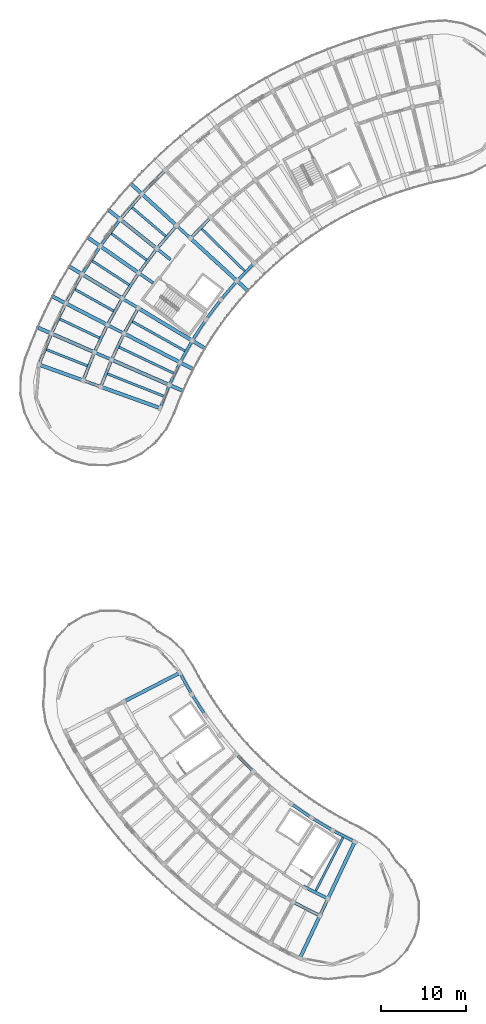
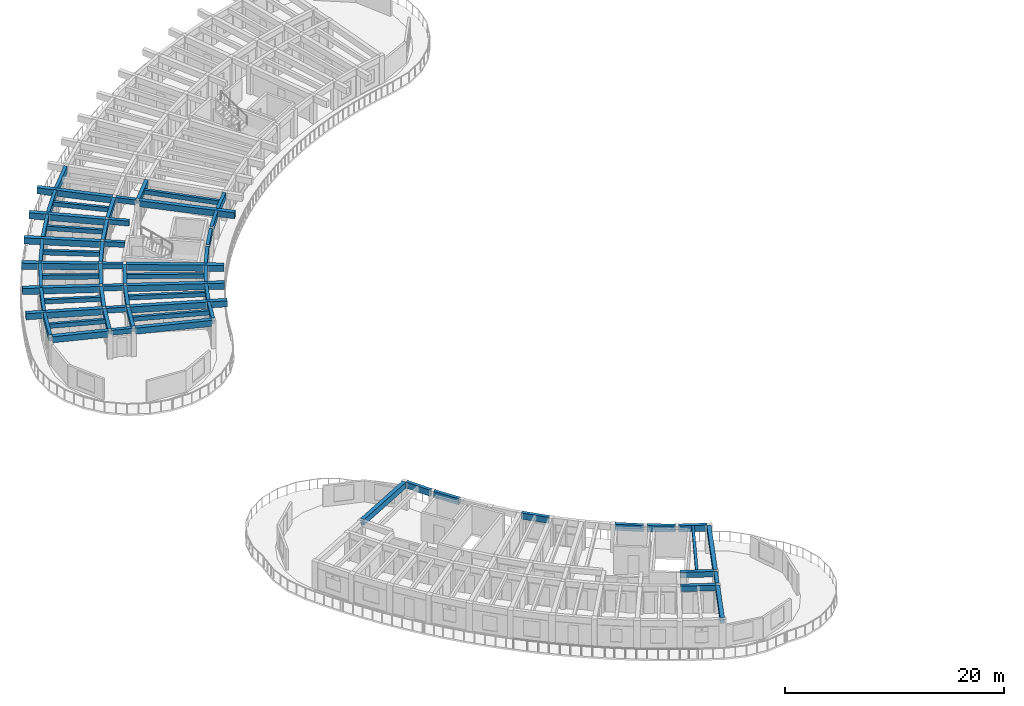
# One storey, part 5 of 41: 66 beams.
"""IFC4 building model written with IfcOpenShell, lengths in metres."""

from ifc_helpers import new_model, si_unit, direction, frame, origin, origin_2d, place, context, subcontext, project, spatial, rectangle, extrude, material, material_profile, profile_set, type_object, element, save


model = new_model("IFC4")

# Units and contexts
model_context = context("Model", 3, precision=1e-05, world=origin(), true_north=direction((0.0, 1.0)))
body_context = subcontext(model_context, "Body", "Model", "MODEL_VIEW")
ifc_project = project(units=[si_unit("LENGTHUNIT", "METRE"), si_unit("AREAUNIT", "SQUARE_METRE"), si_unit("VOLUMEUNIT", "CUBIC_METRE"), si_unit("PLANEANGLEUNIT", "RADIAN"), si_unit("MASSUNIT", "GRAM", prefix="KILO")], contexts=[model_context])

# Site, building, storey
site_placement = place(None, origin())
site = spatial("IfcSite", under=ifc_project, at=site_placement, CompositionType="ELEMENT")
building_placement = place(site_placement, origin())
building = spatial("IfcBuilding", under=site, at=building_placement, Name="Tanwirah Colonnade Gardens", CompositionType="ELEMENT")
storey_placement = place(building_placement, frame((0.0, 0.0, 35.719970703125)))
storey = spatial("IfcBuildingStorey", under=building, at=storey_placement, Name="L10", CompositionType="ELEMENT", Elevation=35.719970703125)

# Beams
ifc_material_1 = material(Name="Precast concrete C40/50", Category="concrete")
ifc_material_profile_1 = material_profile(ifc_material_1, rectangle(XDim=0.360107421875, YDim=0.610107421875, at=origin_2d()), Name="PC-BM 360x610")
ifc_profile_set_1 = profile_set([ifc_material_profile_1], Name="Precast concrete C40/50")
beam_type_1 = type_object("IfcBeamType", Name="BM-PC300", PredefinedType="BEAM", material=ifc_profile_set_1)
beam_1_placement = place(storey_placement, frame((39.99609375, 19.08251953125, 2.820068359375), z_axis=(0.890027741769, -0.45590637074, 0.0), x_axis=(0.45590637074, 0.890027741769, 0.0)))
element("IfcBeam", 1, at=beam_1_placement, inside=storey, type_object=beam_type_1, Name="Block C L10 Circumferential Beam 12-R1", PredefinedType="BEAM", context=body_context, shape_type="SweptSolid", body=[
    extrude(rectangle(XDim=0.360107421875, YDim=0.610107421875, at=origin_2d()), origin(), (0.0, 0.0, 1.0), 3.093017578125),
])
beam_2_placement = place(storey_placement, frame((38.929443359375, 17.158447265625, 2.820068359375), z_axis=(0.890025451153, -0.45591084249, 0.0), x_axis=(0.45591084249, 0.890025451153, 0.0)))
element("IfcBeam", 2, at=beam_2_placement, inside=storey, type_object=beam_type_1, Name="Block C L10 Circumferential Beam 12-R2", PredefinedType="BEAM", context=body_context, shape_type="SweptSolid", body=[
    extrude(rectangle(XDim=0.360107421875, YDim=0.610107421875, at=origin_2d()), origin(), (0.0, 0.0, 1.0), 3.237060546875),
])
ifc_material_profile_2 = material_profile(ifc_material_1, rectangle(XDim=0.35009765625, YDim=0.550048828125, at=origin_2d()), Name="PC-BM 350x550")
ifc_profile_set_2 = profile_set([ifc_material_profile_2], Name="Precast concrete C40/50")
beam_type_2 = type_object("IfcBeamType", Name="BM-PC350A", PredefinedType="BEAM", material=ifc_profile_set_2)
for number, where, z_axis, x_axis, name in (
    (3, (26.62744140625, 95.29345703125, 2.840087890625), (-0.737948361517, 0.674857181732, 0.0), (-0.674857181732, -0.737948361517, 0.0), "Block A L10 Corridor Tie Beam 11"),
    (4, (24.398681640625, 92.68896484375, 2.840087890625), (-0.78073089418, 0.624867402633, 0.0), (-0.624867402633, -0.78073089418, 0.0), "Block A L10 Corridor Tie Beam 12"),
    (5, (22.346435546875, 89.943359375, 2.840087890625), (-0.820305001782, 0.571926309983, 0.0), (-0.571926309983, -0.820305001782, 0.0), "Block A L10 Corridor Tie Beam 13"),
    (6, (20.479248046875, 87.068359375, 2.840087890625), (-0.856174920318, 0.516686080534, 0.0), (-0.516686080534, -0.856174920318, 0.0), "Block A L10 Corridor Tie Beam 14"),
    (7, (18.8056640625, 84.07666015625, 2.840087890625), (-0.888358643941, 0.459150214784, 0.0), (-0.459150214784, -0.888358643941, 0.0), "Block A L10 Corridor Tie Beam 15"),
    (8, (17.3330078125, 80.981201171875, 2.840087890625), (-0.916681481826, 0.399618644306, 0.0), (-0.399618644306, -0.916681481826, 0.0), "Block A L10 Corridor Tie Beam 16"),
    (9, (16.0673828125, 77.79541015625, 2.840087890625), (-0.941021664552, 0.338346311999, 0.0), (-0.338346311999, -0.941021664552, 0.0), "Block A L10 Corridor Tie Beam 17"),
    (10, (42.818359375, 17.46826171875, 2.85009765625), (-0.426483812015, -0.904495195172, 0.0), (0.904495195172, -0.426483812015, 0.0), "Block C L10 Corridor Tie Beam 13"),
):
    element("IfcBeam", number, at=place(storey_placement, frame(where, z_axis=z_axis, x_axis=x_axis)), inside=storey, type_object=beam_type_2, Name=name, PredefinedType="BEAM", context=body_context, shape_type="SweptSolid", body=[
        extrude(rectangle(XDim=0.35009765625, YDim=0.550048828125, at=origin_2d()), origin(), (0.0, 0.0, 1.0), 1.89990234375),
    ])
ifc_material_profile_3 = material_profile(ifc_material_1, rectangle(XDim=0.35009765625, YDim=0.60009765625, at=origin_2d()), Name="PC-BM 350x600")
ifc_profile_set_3 = profile_set([ifc_material_profile_3], Name="Precast concrete C40/50")
beam_type_3 = type_object("IfcBeamType", Name="BM-PC350B", PredefinedType="BEAM", material=ifc_profile_set_3)
beam_3_placement = place(storey_placement, frame((29.02197265625, 97.52978515625, 2.81494140625), z_axis=(-0.698837366631, -0.715280598787, 0.0), x_axis=(0.715280598787, -0.698837366631, 0.0)))
element("IfcBeam", 11, at=beam_3_placement, inside=storey, type_object=beam_type_3, Name="Block A L10 Circumferential Beam 10-R1", PredefinedType="BEAM", context=body_context, shape_type="SweptSolid", body=[
    extrude(rectangle(XDim=0.35009765625, YDim=0.60009765625, at=origin_2d()), origin(), (0.0, 0.0, 1.0), 3.117919921875),
])
beam_4_placement = place(storey_placement, frame((25.017333984375, 96.56298828125, 2.81494140625), z_axis=(-0.650218192342, -0.759747525398, 0.0), x_axis=(0.759747525398, -0.650218192342, 0.0)))
element("IfcBeam", 12, at=beam_4_placement, inside=storey, type_object=beam_type_3, Name="Block A L10 Circumferential Beam 11-R2", PredefinedType="BEAM", context=body_context, shape_type="SweptSolid", body=[
    extrude(rectangle(XDim=0.35009765625, YDim=0.60009765625, at=origin_2d()), origin(), (0.0, 0.0, 1.0), 3.26318359375),
])
for number, where, z_axis, x_axis, name in (
    (13, (22.708251953125, 93.849609375, 2.81494140625), (-0.59871829396, -0.800959677186, 0.0), (0.800959677186, -0.59871829396, 0.0), "Block A L10 Circumferential Beam 12-R2"),
    (14, (20.5830078125, 90.989990234375, 2.81494140625), (-0.544627998385, -0.838677735114, 0.0), (0.838677735114, -0.544627998385, 0.0), "Block A L10 Circumferential Beam 13-R2"),
):
    element("IfcBeam", number, at=place(storey_placement, frame(where, z_axis=z_axis, x_axis=x_axis)), inside=storey, type_object=beam_type_3, Name=name, PredefinedType="BEAM", context=body_context, shape_type="SweptSolid", body=[
        extrude(rectangle(XDim=0.35009765625, YDim=0.60009765625, at=origin_2d()), origin(), (0.0, 0.0, 1.0), 3.262939453125),
    ])
beam_5_placement = place(storey_placement, frame((20.534423828125, 86.85986328125, 2.81494140625), z_axis=(-0.488200372352, -0.872731571811, 0.0), x_axis=(0.872731571811, -0.488200372352, 0.0)))
element("IfcBeam", 15, at=beam_5_placement, inside=storey, type_object=beam_type_3, Name="Block A L10 Circumferential Beam 14-R1", PredefinedType="BEAM", context=body_context, shape_type="SweptSolid", body=[
    extrude(rectangle(XDim=0.35009765625, YDim=0.60009765625, at=origin_2d()), origin(), (0.0, 0.0, 1.0), 3.117919921875),
])
beam_6_placement = place(storey_placement, frame((18.65087890625, 87.99658203125, 2.81494140625), z_axis=(-0.488213717102, -0.87272410671, 0.0), x_axis=(0.87272410671, -0.488213717102, 0.0)))
element("IfcBeam", 16, at=beam_6_placement, inside=storey, type_object=beam_type_3, Name="Block A L10 Circumferential Beam 14-R2", PredefinedType="BEAM", context=body_context, shape_type="SweptSolid", body=[
    extrude(rectangle(XDim=0.35009765625, YDim=0.60009765625, at=origin_2d()), origin(), (0.0, 0.0, 1.0), 3.262939453125),
])
beam_7_placement = place(storey_placement, frame((18.87451171875, 83.872314453125, 2.81494140625), z_axis=(-0.429620507728, -0.903009534468, 0.0), x_axis=(0.903009534468, -0.429620507728, 0.0)))
element("IfcBeam", 17, at=beam_7_placement, inside=storey, type_object=beam_type_3, Name="Block A L10 Circumferential Beam 15-R1", PredefinedType="BEAM", context=body_context, shape_type="SweptSolid", body=[
    extrude(rectangle(XDim=0.35009765625, YDim=0.60009765625, at=origin_2d()), origin(), (0.0, 0.0, 1.0), 3.1181640625),
])
beam_8_placement = place(storey_placement, frame((16.920166015625, 84.882568359375, 2.81494140625), z_axis=(-0.4295908638, -0.90302363742, 0.0), x_axis=(0.90302363742, -0.4295908638, 0.0)))
element("IfcBeam", 18, at=beam_8_placement, inside=storey, type_object=beam_type_3, Name="Block A L10 Circumferential Beam 15-R2", PredefinedType="BEAM", context=body_context, shape_type="SweptSolid", body=[
    extrude(rectangle(XDim=0.35009765625, YDim=0.60009765625, at=origin_2d()), origin(), (0.0, 0.0, 1.0), 3.26318359375),
])
beam_9_placement = place(storey_placement, frame((17.4150390625, 80.78173828125, 2.81494140625), z_axis=(-0.369189105832, -0.929354294193, 0.0), x_axis=(0.929354294193, -0.369189105832, 0.0)))
element("IfcBeam", 19, at=beam_9_placement, inside=storey, type_object=beam_type_3, Name="Block A L10 Circumferential Beam 16-R1", PredefinedType="BEAM", context=body_context, shape_type="SweptSolid", body=[
    extrude(rectangle(XDim=0.35009765625, YDim=0.60009765625, at=origin_2d()), origin(), (0.0, 0.0, 1.0), 3.117919921875),
])
beam_10_placement = place(storey_placement, frame((15.3984375, 81.6611328125, 2.81494140625), z_axis=(-0.369209712056, -0.929346108037, 0.0), x_axis=(0.929346108037, -0.369209712056, 0.0)))
element("IfcBeam", 20, at=beam_10_placement, inside=storey, type_object=beam_type_3, Name="Block A L10 Circumferential Beam 16-R2", PredefinedType="BEAM", context=body_context, shape_type="SweptSolid", body=[
    extrude(rectangle(XDim=0.35009765625, YDim=0.60009765625, at=origin_2d()), origin(), (0.0, 0.0, 1.0), 3.26318359375),
])
ifc_material_2 = material(Name="Precast concrete C45/55", Category="concrete")
ifc_material_profile_4 = material_profile(ifc_material_2, rectangle(XDim=0.39990234375, YDim=0.64990234375, at=origin_2d()), Name="PC-BM 400x650")
ifc_profile_set_4 = profile_set([ifc_material_profile_4], Name="Precast concrete C45/55")
beam_type_4 = type_object("IfcBeamType", Name="BM-PC400", PredefinedType="BEAM", material=ifc_profile_set_4)
for number, where, z_axis, x_axis, name in (
    (21, (19.037841796875, 40.827880859375, 2.800048828125), (0.889012732153, 0.457882476265, 0.0), (-0.457882476265, 0.889012732153, 0.0), "Block C L10 Inner Radial Precast Girder 3"),
    (22, (42.9462890625, 17.73974609375, 2.800048828125), (0.426588425311, 0.904445860951, 0.0), (-0.904445860951, 0.426588425311, 0.0), "Block C L10 Inner Radial Precast Girder 13"),
):
    element("IfcBeam", number, at=place(storey_placement, frame(where, z_axis=z_axis, x_axis=x_axis)), inside=storey, type_object=beam_type_4, Name=name, PredefinedType="BEAM", context=body_context, shape_type="SweptSolid", body=[
        extrude(rectangle(XDim=0.39990234375, YDim=0.64990234375, at=origin_2d()), origin(), (0.0, 0.0, 1.0), 7.10009765625),
    ])
beam_11_placement = place(storey_placement, frame((41.8798828125, 15.478515625, 2.800048828125), z_axis=(-0.426549833975, -0.904464061827, 0.0), x_axis=(0.904464061827, -0.426549833975, 0.0)))
element("IfcBeam", 23, at=beam_11_placement, inside=storey, type_object=beam_type_4, Name="Block C L10 Outer Radial Precast Girder 13", PredefinedType="BEAM", context=body_context, shape_type="SweptSolid", body=[
    extrude(rectangle(XDim=0.39990234375, YDim=0.64990234375, at=origin_2d()), origin(), (0.0, 0.0, 1.0), 5.199951171875),
])
ifc_material_profile_5 = material_profile(ifc_material_2, rectangle(XDim=0.419921875, YDim=0.679931640625, at=origin_2d()), Name="PC-BM 420x680")
ifc_profile_set_5 = profile_set([ifc_material_profile_5], Name="Precast concrete C45/55")
beam_type_5 = type_object("IfcBeamType", Name="BM-PC420", PredefinedType="BEAM", material=ifc_profile_set_5)
beam_12_placement = place(storey_placement, frame((26.848876953125, 95.091064453125, 2.775146484375), z_axis=(0.737937205818, -0.674869380154, 0.0), x_axis=(0.674869380154, 0.737937205818, 0.0)))
element("IfcBeam", 24, at=beam_12_placement, inside=storey, type_object=beam_type_5, Name="Block A L10 Inner Radial Precast Girder 11", PredefinedType="BEAM", context=body_context, shape_type="SweptSolid", body=[
    extrude(rectangle(XDim=0.419921875, YDim=0.679931640625, at=origin_2d()), origin(), (0.0, 0.0, 1.0), 8.949951171875),
])
for number, where, z_axis, x_axis, name in (
    (25, (25.004150390625, 96.7783203125, 2.775146484375), (-0.737934199263, 0.674872667663, 0.0), (-0.674872667663, -0.737934199263, 0.0), "Block A L10 Outer Radial Precast Girder 11"),
    (26, (22.680908203125, 94.0634765625, 2.775146484375), (-0.780794476885, 0.624787951921, 0.0), (-0.624787951921, -0.780794476885, 0.0), "Block A L10 Outer Radial Precast Girder 12"),
    (27, (20.541748046875, 91.20166015625, 2.775146484375), (-0.820270158139, 0.571976282433, 0.0), (-0.571976282433, -0.820270158139, 0.0), "Block A L10 Outer Radial Precast Girder 13"),
):
    element("IfcBeam", number, at=place(storey_placement, frame(where, z_axis=z_axis, x_axis=x_axis)), inside=storey, type_object=beam_type_5, Name=name, PredefinedType="BEAM", context=body_context, shape_type="SweptSolid", body=[
        extrude(rectangle(XDim=0.419921875, YDim=0.679931640625, at=origin_2d()), origin(), (0.0, 0.0, 1.0), 7.050048828125),
    ])
beam_13_placement = place(storey_placement, frame((20.736083984375, 86.913330078125, 2.775146484375), z_axis=(0.856168728297, -0.516696340887, 0.0), x_axis=(0.516696340887, 0.856168728297, 0.0)))
element("IfcBeam", 28, at=beam_13_placement, inside=storey, type_object=beam_type_5, Name="Block A L10 Inner Radial Precast Girder 14", PredefinedType="BEAM", context=body_context, shape_type="SweptSolid", body=[
    extrude(rectangle(XDim=0.419921875, YDim=0.679931640625, at=origin_2d()), origin(), (0.0, 0.0, 1.0), 8.9501953125),
])
beam_14_placement = place(storey_placement, frame((18.595703125, 88.205078125, 2.775146484375), z_axis=(-0.856157813984, 0.516714425533, 0.0), x_axis=(-0.516714425533, -0.856157813984, 0.0)))
element("IfcBeam", 29, at=beam_14_placement, inside=storey, type_object=beam_type_5, Name="Block A L10 Outer Radial Precast Girder 14", PredefinedType="BEAM", context=body_context, shape_type="SweptSolid", body=[
    extrude(rectangle(XDim=0.419921875, YDim=0.679931640625, at=origin_2d()), origin(), (0.0, 0.0, 1.0), 7.050048828125),
])
beam_15_placement = place(storey_placement, frame((19.072265625, 83.93896484375, 2.775146484375), z_axis=(0.888345427876, -0.459175784175, 0.0), x_axis=(0.459175784175, 0.888345427876, 0.0)))
element("IfcBeam", 30, at=beam_15_placement, inside=storey, type_object=beam_type_5, Name="Block A L10 Inner Radial Precast Girder 15", PredefinedType="BEAM", context=body_context, shape_type="SweptSolid", body=[
    extrude(rectangle(XDim=0.419921875, YDim=0.679931640625, at=origin_2d()), origin(), (0.0, 0.0, 1.0), 8.949951171875),
])
beam_16_placement = place(storey_placement, frame((16.851318359375, 85.0869140625, 2.775146484375), z_axis=(-0.888348690665, 0.459169471758, 0.0), x_axis=(-0.459169471758, -0.888348690665, 0.0)))
element("IfcBeam", 31, at=beam_16_placement, inside=storey, type_object=beam_type_5, Name="Block A L10 Outer Radial Precast Girder 15", PredefinedType="BEAM", context=body_context, shape_type="SweptSolid", body=[
    extrude(rectangle(XDim=0.419921875, YDim=0.679931640625, at=origin_2d()), origin(), (0.0, 0.0, 1.0), 7.0498046875),
])
beam_17_placement = place(storey_placement, frame((17.60791015625, 80.861328125, 2.775146484375), z_axis=(0.916669317869, -0.399646545934, 0.0), x_axis=(0.399646545934, 0.916669317869, 0.0)))
element("IfcBeam", 32, at=beam_17_placement, inside=storey, type_object=beam_type_5, Name="Block A L10 Inner Radial Precast Girder 16", PredefinedType="BEAM", context=body_context, shape_type="SweptSolid", body=[
    extrude(rectangle(XDim=0.419921875, YDim=0.679931640625, at=origin_2d()), origin(), (0.0, 0.0, 1.0), 8.9501953125),
])
beam_18_placement = place(storey_placement, frame((15.31640625, 81.8603515625, 2.775146484375), z_axis=(-0.916678725612, 0.399624966702, 0.0), x_axis=(-0.399624966702, -0.916678725612, 0.0)))
element("IfcBeam", 33, at=beam_18_placement, inside=storey, type_object=beam_type_5, Name="Block A L10 Outer Radial Precast Girder 16", PredefinedType="BEAM", context=body_context, shape_type="SweptSolid", body=[
    extrude(rectangle(XDim=0.419921875, YDim=0.679931640625, at=origin_2d()), origin(), (0.0, 0.0, 1.0), 7.050048828125),
])
beam_19_placement = place(storey_placement, frame((16.349609375, 77.69384765625, 2.775146484375), z_axis=(0.941016219432, -0.338361455792, 0.0), x_axis=(0.338361455792, 0.941016219432, 0.0)))
element("IfcBeam", 34, at=beam_19_placement, inside=storey, type_object=beam_type_5, Name="Block A L10 Inner Radial Precast Girder 17", PredefinedType="BEAM", context=body_context, shape_type="SweptSolid", body=[
    extrude(rectangle(XDim=0.419921875, YDim=0.679931640625, at=origin_2d()), origin(), (0.0, 0.0, 1.0), 7.099853515625),
])
beam_20_placement = place(storey_placement, frame((13.9970703125, 78.539794921875, 2.775146484375), z_axis=(-0.941014229933, 0.338366988731, 0.0), x_axis=(-0.338366988731, -0.941014229933, 0.0)))
element("IfcBeam", 35, at=beam_20_placement, inside=storey, type_object=beam_type_5, Name="Block A L10 Outer Radial Precast Girder 17", PredefinedType="BEAM", context=body_context, shape_type="SweptSolid", body=[
    extrude(rectangle(XDim=0.419921875, YDim=0.679931640625, at=origin_2d()), origin(), (0.0, 0.0, 1.0), 5.199951171875),
])
ifc_material_profile_6 = material_profile(ifc_material_1, rectangle(XDim=0.25, YDim=0.449951171875, at=origin_2d()), Name="PC-JST 250x450")
ifc_profile_set_6 = profile_set([ifc_material_profile_6], Name="Precast concrete C40/50")
beam_type_6 = type_object("IfcBeamType", Name="JST-PC250", PredefinedType="JOIST", material=ifc_profile_set_6)
beam_21_placement = place(storey_placement, frame((44.678955078125, 24.83203125, 2.900146484375), z_axis=(-0.455921327553, -0.890020080157, 0.0), x_axis=(0.890020080157, -0.455921327553, 0.0)))
element("IfcBeam", 36, at=beam_21_placement, inside=storey, type_object=beam_type_6, Name="Block C L10 Inner Precast Floor Joist 12", PredefinedType="JOIST", context=body_context, shape_type="SweptSolid", body=[
    extrude(rectangle(XDim=0.25, YDim=0.449951171875, at=origin_2d()), origin(), (0.0, 0.0, 1.0), 7.159912109375),
])
ifc_material_profile_7 = material_profile(ifc_material_1, rectangle(XDim=0.280029296875, YDim=0.47998046875, at=origin_2d()), Name="PC-JST 280x480")
ifc_profile_set_7 = profile_set([ifc_material_profile_7], Name="Precast concrete C40/50")
beam_type_7 = type_object("IfcBeamType", Name="JST-PC280", PredefinedType="JOIST", material=ifc_profile_set_7)
beam_22_placement = place(storey_placement, frame((33.11962890625, 91.346923828125, 2.875), z_axis=(-0.715276680509, 0.698841377081, 0.0), x_axis=(-0.698841377081, -0.715276680509, 0.0)))
element("IfcBeam", 37, at=beam_22_placement, inside=storey, type_object=beam_type_7, Name="Block A L10 Inner Precast Floor Joist 10", PredefinedType="JOIST", context=body_context, shape_type="SweptSolid", body=[
    extrude(rectangle(XDim=0.280029296875, YDim=0.47998046875, at=origin_2d()), origin(), (0.0, 0.0, 1.0), 7.159912109375),
])
beam_23_placement = place(storey_placement, frame((23.843017578125, 95.42041015625, 2.875), z_axis=(-0.759770723643, 0.65019108537, 0.0), x_axis=(-0.65019108537, -0.759770723643, 0.0)))
element("IfcBeam", 38, at=beam_23_placement, inside=storey, type_object=beam_type_7, Name="Block A L10 Precast Floor Joist 11", PredefinedType="JOIST", context=body_context, shape_type="SweptSolid", body=[
    extrude(rectangle(XDim=0.280029296875, YDim=0.47998046875, at=origin_2d()), origin(), (0.0, 0.0, 1.0), 5.26025390625),
])
beam_24_placement = place(storey_placement, frame((21.61181640625, 92.63232421875, 2.875), z_axis=(-0.800973647215, 0.598699604533, 0.0), x_axis=(-0.598699604533, -0.800973647215, 0.0)))
element("IfcBeam", 39, at=beam_24_placement, inside=storey, type_object=beam_type_7, Name="Block A L10 Precast Floor Joist 12", PredefinedType="JOIST", context=body_context, shape_type="SweptSolid", body=[
    extrude(rectangle(XDim=0.280029296875, YDim=0.47998046875, at=origin_2d()), origin(), (0.0, 0.0, 1.0), 5.260009765625),
])
beam_25_placement = place(storey_placement, frame((19.5693359375, 89.703125, 2.875), z_axis=(-0.83868742622, 0.544613074669, 0.0), x_axis=(-0.544613074669, -0.83868742622, 0.0)))
element("IfcBeam", 40, at=beam_25_placement, inside=storey, type_object=beam_type_7, Name="Block A L10 Precast Floor Joist 13", PredefinedType="JOIST", context=body_context, shape_type="SweptSolid", body=[
    extrude(rectangle(XDim=0.280029296875, YDim=0.47998046875, at=origin_2d()), origin(), (0.0, 0.0, 1.0), 5.26025390625),
])
beam_26_placement = place(storey_placement, frame((17.72412109375, 86.645751953125, 2.875), z_axis=(-0.872737031138, 0.488190612855, 0.0), x_axis=(-0.488190612855, -0.872737031138, 0.0)))
element("IfcBeam", 41, at=beam_26_placement, inside=storey, type_object=beam_type_7, Name="Block A L10 Precast Floor Joist 14", PredefinedType="JOIST", context=body_context, shape_type="SweptSolid", body=[
    extrude(rectangle(XDim=0.280029296875, YDim=0.47998046875, at=origin_2d()), origin(), (0.0, 0.0, 1.0), 5.260009765625),
])
beam_27_placement = place(storey_placement, frame((26.102294921875, 81.958984375, 2.875), z_axis=(-0.872726875563, 0.488208767506, 0.0), x_axis=(-0.488208767506, -0.872726875563, 0.0)))
element("IfcBeam", 42, at=beam_27_placement, inside=storey, type_object=beam_type_7, Name="Block A L10 Inner Precast Floor Joist 14", PredefinedType="JOIST", context=body_context, shape_type="SweptSolid", body=[
    extrude(rectangle(XDim=0.280029296875, YDim=0.47998046875, at=origin_2d()), origin(), (0.0, 0.0, 1.0), 7.16015625),
])
beam_28_placement = place(storey_placement, frame((16.08447265625, 83.473388671875, 2.875), z_axis=(-0.903018314862, 0.429602051931, 0.0), x_axis=(-0.429602051931, -0.903018314862, 0.0)))
element("IfcBeam", 43, at=beam_28_placement, inside=storey, type_object=beam_type_7, Name="Block A L10 Precast Floor Joist 15", PredefinedType="JOIST", context=body_context, shape_type="SweptSolid", body=[
    extrude(rectangle(XDim=0.280029296875, YDim=0.47998046875, at=origin_2d()), origin(), (0.0, 0.0, 1.0), 5.26025390625),
])
beam_29_placement = place(storey_placement, frame((24.753173828125, 79.348876953125, 2.875), z_axis=(-0.903005429363, 0.429629136048, 0.0), x_axis=(-0.429629136048, -0.903005429363, 0.0)))
element("IfcBeam", 44, at=beam_29_placement, inside=storey, type_object=beam_type_7, Name="Block A L10 Inner Precast Floor Joist 15", PredefinedType="JOIST", context=body_context, shape_type="SweptSolid", body=[
    extrude(rectangle(XDim=0.280029296875, YDim=0.47998046875, at=origin_2d()), origin(), (0.0, 0.0, 1.0), 7.16015625),
])
beam_30_placement = place(storey_placement, frame((14.6572265625, 80.199951171875, 2.875), z_axis=(-0.929357539836, 0.369180935517, 0.0), x_axis=(-0.369180935517, -0.929357539836, 0.0)))
element("IfcBeam", 45, at=beam_30_placement, inside=storey, type_object=beam_type_7, Name="Block A L10 Precast Floor Joist 16", PredefinedType="JOIST", context=body_context, shape_type="SweptSolid", body=[
    extrude(rectangle(XDim=0.280029296875, YDim=0.47998046875, at=origin_2d()), origin(), (0.0, 0.0, 1.0), 5.260009765625),
])
beam_31_placement = place(storey_placement, frame((23.578857421875, 76.655517578125, 2.875), z_axis=(-0.929344232768, 0.369214432303, 0.0), x_axis=(-0.369214432303, -0.929344232768, 0.0)))
element("IfcBeam", 46, at=beam_31_placement, inside=storey, type_object=beam_type_7, Name="Block A L10 Inner Precast Floor Joist 16", PredefinedType="JOIST", context=body_context, shape_type="SweptSolid", body=[
    extrude(rectangle(XDim=0.280029296875, YDim=0.47998046875, at=origin_2d()), origin(), (0.0, 0.0, 1.0), 7.159912109375),
])
ifc_material_profile_8 = material_profile(ifc_material_1, rectangle(XDim=0.330078125, YDim=0.68994140625, at=origin_2d()), Name="PC-SP 330x690")
ifc_profile_set_8 = profile_set([ifc_material_profile_8], Name="Precast concrete C40/50")
beam_type_8 = type_object("IfcBeamType", Name="SP-PC280", PredefinedType="SPANDREL", material=ifc_profile_set_8)
beam_32_placement = place(storey_placement, frame((25.55615234375, 44.016357421875, 2.780029296875), z_axis=(0.486747049114, -0.873542964129, 0.0), x_axis=(0.873542964129, 0.486747049114, 0.0)))
element("IfcBeam", 47, at=beam_32_placement, inside=storey, type_object=beam_type_8, Name="Block C L10 Circumferential Beam 3-R0", PredefinedType="SPANDREL", context=body_context, shape_type="SweptSolid", body=[
    extrude(rectangle(XDim=0.330078125, YDim=0.68994140625, at=origin_2d()), origin(), (0.0, 0.0, 1.0), 2.608642578125),
])
for number, where, z_axis, x_axis, name in (
    (48, (26.980224609375, 41.48046875, 2.780029296875), (0.542874837406, -0.83981361677, 0.0), (0.83981361677, 0.542874837406, 0.0), "Block C L10 Circumferential Beam 4-R0"),
    (49, (32.20166015625, 34.505615234375, 2.780029296875), (0.696262751108, -0.717787002822, 0.0), (0.717787002822, 0.696262751108, 0.0), "Block C L10 Circumferential Beam 7-R0"),
    (50, (38.68359375, 28.683349609375, 2.780029296875), (0.822868771031, -0.568231454305, 0.0), (0.568231454305, 0.822868771031, 0.0), "Block C L10 Circumferential Beam 10-R0"),
):
    element("IfcBeam", number, at=place(storey_placement, frame(where, z_axis=z_axis, x_axis=x_axis)), inside=storey, type_object=beam_type_8, Name=name, PredefinedType="SPANDREL", context=body_context, shape_type="SweptSolid", body=[
        extrude(rectangle(XDim=0.330078125, YDim=0.68994140625, at=origin_2d()), origin(), (0.0, 0.0, 1.0), 2.60888671875),
    ])
for number, where, z_axis, x_axis, name in (
    (51, (41.08251953125, 27.038818359375, 2.780029296875), (0.858301131151, -0.513146341958, 0.0), (0.513146341958, 0.858301131151, 0.0), "Block C L10 Circumferential Beam 11-R0"),
    (52, (43.583740234375, 25.5546875, 2.780029296875), (0.890042438658, -0.455877678097, 0.0), (0.455877678097, 0.890042438658, 0.0), "Block C L10 Circumferential Beam 12-R0"),
):
    element("IfcBeam", number, at=place(storey_placement, frame(where, z_axis=z_axis, x_axis=x_axis)), inside=storey, type_object=beam_type_8, Name=name, PredefinedType="SPANDREL", context=body_context, shape_type="SweptSolid", body=[
        extrude(rectangle(XDim=0.330078125, YDim=0.68994140625, at=origin_2d()), origin(), (0.0, 0.0, 1.0), 2.608642578125),
    ])
ifc_material_profile_9 = material_profile(ifc_material_2, rectangle(XDim=0.320068359375, YDim=0.679931640625, at=origin_2d()), Name="PC-SP 320x680")
ifc_profile_set_9 = profile_set([ifc_material_profile_9], Name="Precast concrete C45/55")
beam_type_9 = type_object("IfcBeamType", Name="SP-PC320", PredefinedType="SPANDREL", material=ifc_profile_set_9)
beam_33_placement = place(storey_placement, frame((34.141845703125, 92.186767578125, 2.775146484375), z_axis=(-0.698844462704, -0.715273665772, 0.0), x_axis=(0.715273665772, -0.698844462704, 0.0)))
element("IfcBeam", 53, at=beam_33_placement, inside=storey, type_object=beam_type_9, Name="Block A L10 Circumferential Beam 10-R0", PredefinedType="SPANDREL", context=body_context, shape_type="SweptSolid", body=[
    extrude(rectangle(XDim=0.320068359375, YDim=0.679931640625, at=origin_2d()), origin(), (0.0, 0.0, 1.0), 2.630126953125),
])
beam_34_placement = place(storey_placement, frame((23.69482421875, 103.089599609375, 2.775146484375), z_axis=(-0.698844493997, -0.715273635199, 0.0), x_axis=(0.715273635199, -0.698844493997, 0.0)))
element("IfcBeam", 54, at=beam_34_placement, inside=storey, type_object=beam_type_9, Name="Block A L10 Circumferential Beam 10-R3", PredefinedType="SPANDREL", context=body_context, shape_type="SweptSolid", body=[
    extrude(rectangle(XDim=0.320068359375, YDim=0.679931640625, at=origin_2d()), origin(), (0.0, 0.0, 1.0), 3.6259765625),
])
beam_35_placement = place(storey_placement, frame((32.101318359375, 90.084228515625, 2.775146484375), z_axis=(-0.650172023628, -0.759787035749, 0.0), x_axis=(0.759787035749, -0.650172023628, 0.0)))
element("IfcBeam", 55, at=beam_35_placement, inside=storey, type_object=beam_type_9, Name="Block A L10 Circumferential Beam 11-R0", PredefinedType="SPANDREL", context=body_context, shape_type="SweptSolid", body=[
    extrude(rectangle(XDim=0.320068359375, YDim=0.679931640625, at=origin_2d()), origin(), (0.0, 0.0, 1.0), 2.63037109375),
])
beam_36_placement = place(storey_placement, frame((20.95849609375, 100.27490234375, 2.775146484375), z_axis=(-0.65013123267, -0.75982193987, 0.0), x_axis=(0.75982193987, -0.65013123267, 0.0)))
element("IfcBeam", 56, at=beam_36_placement, inside=storey, type_object=beam_type_9, Name="Block A L10 Circumferential Beam 11-R3", PredefinedType="SPANDREL", context=body_context, shape_type="SweptSolid", body=[
    extrude(rectangle(XDim=0.320068359375, YDim=0.679931640625, at=origin_2d()), origin(), (0.0, 0.0, 1.0), 3.625732421875),
])
beam_37_placement = place(storey_placement, frame((30.203857421875, 87.851806640625, 2.775146484375), z_axis=(-0.598662613551, -0.80100129534, 0.0), x_axis=(0.80100129534, -0.598662613551, 0.0)))
element("IfcBeam", 57, at=beam_37_placement, inside=storey, type_object=beam_type_9, Name="Block A L10 Circumferential Beam 12-R0", PredefinedType="SPANDREL", context=body_context, shape_type="SweptSolid", body=[
    extrude(rectangle(XDim=0.320068359375, YDim=0.679931640625, at=origin_2d()), origin(), (0.0, 0.0, 1.0), 2.63037109375),
])
beam_38_placement = place(storey_placement, frame((18.413818359375, 97.285888671875, 2.775146484375), z_axis=(-0.598695554058, -0.800976674786, 0.0), x_axis=(0.800976674786, -0.598695554058, 0.0)))
element("IfcBeam", 58, at=beam_38_placement, inside=storey, type_object=beam_type_9, Name="Block A L10 Circumferential Beam 12-R3", PredefinedType="SPANDREL", context=body_context, shape_type="SweptSolid", body=[
    extrude(rectangle(XDim=0.320068359375, YDim=0.679931640625, at=origin_2d()), origin(), (0.0, 0.0, 1.0), 3.625732421875),
])
beam_39_placement = place(storey_placement, frame((28.45751953125, 85.4990234375, 2.775146484375), z_axis=(-0.544570677829, -0.838714955661, 0.0), x_axis=(0.838714955661, -0.544570677829, 0.0)))
element("IfcBeam", 59, at=beam_39_placement, inside=storey, type_object=beam_type_9, Name="Block A L10 Circumferential Beam 13-R0", PredefinedType="SPANDREL", context=body_context, shape_type="SweptSolid", body=[
    extrude(rectangle(XDim=0.320068359375, YDim=0.679931640625, at=origin_2d()), origin(), (0.0, 0.0, 1.0), 2.63037109375),
])
beam_40_placement = place(storey_placement, frame((16.071533203125, 94.135986328125, 2.775146484375), z_axis=(-0.544621436184, -0.838681996497, 0.0), x_axis=(0.838681996497, -0.544621436184, 0.0)))
element("IfcBeam", 60, at=beam_40_placement, inside=storey, type_object=beam_type_9, Name="Block A L10 Circumferential Beam 13-R3", PredefinedType="SPANDREL", context=body_context, shape_type="SweptSolid", body=[
    extrude(rectangle(XDim=0.320068359375, YDim=0.679931640625, at=origin_2d()), origin(), (0.0, 0.0, 1.0), 3.625732421875),
])
beam_41_placement = place(storey_placement, frame((26.8701171875, 83.036376953125, 2.775146484375), z_axis=(-0.488170837957, -0.872748092503, 0.0), x_axis=(0.872748092503, -0.488170837957, 0.0)))
element("IfcBeam", 61, at=beam_41_placement, inside=storey, type_object=beam_type_9, Name="Block A L10 Circumferential Beam 14-R0", PredefinedType="SPANDREL", context=body_context, shape_type="SweptSolid", body=[
    extrude(rectangle(XDim=0.320068359375, YDim=0.679931640625, at=origin_2d()), origin(), (0.0, 0.0, 1.0), 2.630126953125),
])
beam_42_placement = place(storey_placement, frame((13.942138671875, 90.838623046875, 2.775146484375), z_axis=(-0.488236312193, -0.872711466326, 0.0), x_axis=(0.872711466326, -0.488236312193, 0.0)))
element("IfcBeam", 62, at=beam_42_placement, inside=storey, type_object=beam_type_9, Name="Block A L10 Circumferential Beam 14-R3", PredefinedType="SPANDREL", context=body_context, shape_type="SweptSolid", body=[
    extrude(rectangle(XDim=0.320068359375, YDim=0.679931640625, at=origin_2d()), origin(), (0.0, 0.0, 1.0), 3.625732421875),
])
beam_43_placement = place(storey_placement, frame((25.448486328125, 80.474609375, 2.775146484375), z_axis=(-0.42964173036, -0.902999437172, 0.0), x_axis=(0.902999437172, -0.42964173036, 0.0)))
element("IfcBeam", 63, at=beam_43_placement, inside=storey, type_object=beam_type_9, Name="Block A L10 Circumferential Beam 15-R0", PredefinedType="SPANDREL", context=body_context, shape_type="SweptSolid", body=[
    extrude(rectangle(XDim=0.320068359375, YDim=0.679931640625, at=origin_2d()), origin(), (0.0, 0.0, 1.0), 2.63037109375),
])
beam_44_placement = place(storey_placement, frame((12.0341796875, 87.407958984375, 2.775146484375), z_axis=(-0.429593766142, -0.903022256698, 0.0), x_axis=(0.903022256698, -0.429593766142, 0.0)))
element("IfcBeam", 64, at=beam_44_placement, inside=storey, type_object=beam_type_9, Name="Block A L10 Circumferential Beam 15-R3", PredefinedType="SPANDREL", context=body_context, shape_type="SweptSolid", body=[
    extrude(rectangle(XDim=0.320068359375, YDim=0.679931640625, at=origin_2d()), origin(), (0.0, 0.0, 1.0), 3.625732421875),
])
beam_45_placement = place(storey_placement, frame((24.198486328125, 77.824462890625, 2.775146484375), z_axis=(-0.369245181709, -0.929332015904, 0.0), x_axis=(0.929332015904, -0.369245181709, 0.0)))
element("IfcBeam", 65, at=beam_45_placement, inside=storey, type_object=beam_type_9, Name="Block A L10 Circumferential Beam 16-R0", PredefinedType="SPANDREL", context=body_context, shape_type="SweptSolid", body=[
    extrude(rectangle(XDim=0.320068359375, YDim=0.679931640625, at=origin_2d()), origin(), (0.0, 0.0, 1.0), 2.630126953125),
])
beam_46_placement = place(storey_placement, frame((10.356689453125, 83.859130859375, 2.775146484375), z_axis=(-0.369195460985, -0.929351769562, 0.0), x_axis=(0.929351769562, -0.369195460985, 0.0)))
element("IfcBeam", 66, at=beam_46_placement, inside=storey, type_object=beam_type_9, Name="Block A L10 Circumferential Beam 16-R3", PredefinedType="SPANDREL", context=body_context, shape_type="SweptSolid", body=[
    extrude(rectangle(XDim=0.320068359375, YDim=0.679931640625, at=origin_2d()), origin(), (0.0, 0.0, 1.0), 3.625732421875),
])

save(model, "model.ifc")
